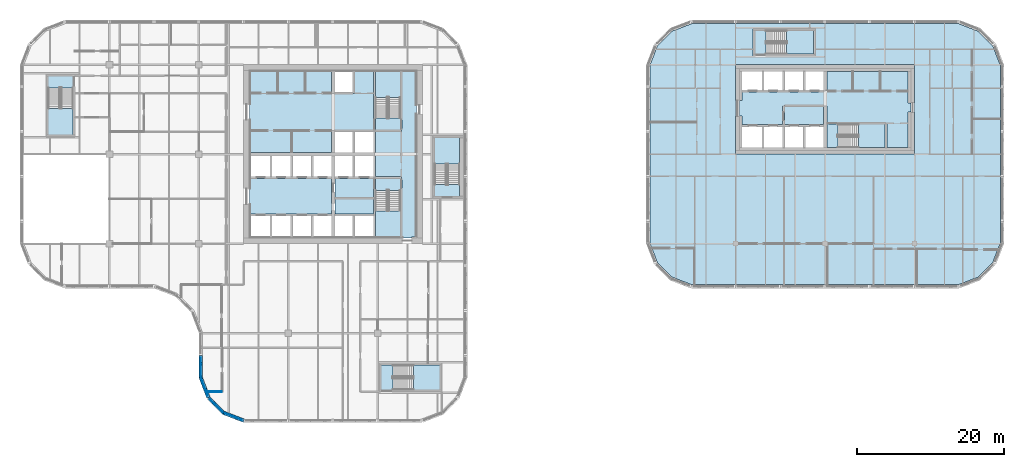
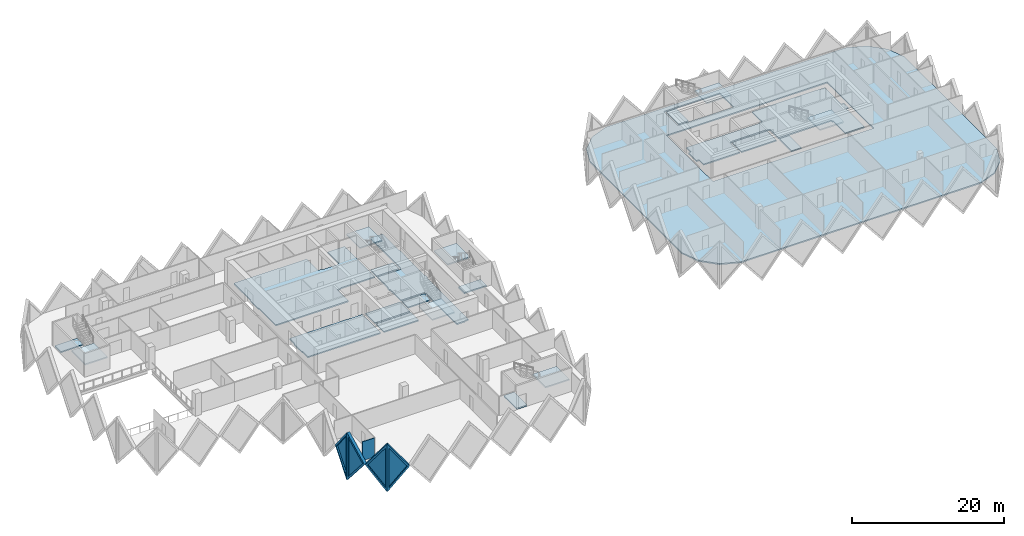
# One storey, part 3 of 19: 22 slabs, 5 walls, 4 plates, 4 openings, 7 elements without a shape of their own.
"""IFC4 building model written with IfcOpenShell, lengths in metres."""

from ifc_helpers import new_model, si_unit, direction, frame, frame_2d, origin, place, context, subcontext, project, spatial, polyline, rectangle, outline, extrude, faceted_brep, source, transform, mapped, material, layer, layer_set, type_object, element, fill, aggregate, save


model = new_model("IFC4")

# Units and contexts
model_context = context("Model", 3, precision=1e-05, world=origin(), true_north=direction((0.0, 1.0)))
body_context = subcontext(model_context, "Body", "Model", "MODEL_VIEW")
ifc_project = project(units=[si_unit("LENGTHUNIT", "METRE"), si_unit("AREAUNIT", "SQUARE_METRE"), si_unit("VOLUMEUNIT", "CUBIC_METRE"), si_unit("PLANEANGLEUNIT", "RADIAN"), si_unit("MASSUNIT", "GRAM", prefix="KILO")], contexts=[model_context])

# Site, building, storey
site_placement = place(None, origin())
site = spatial("IfcSite", under=ifc_project, at=site_placement, CompositionType="ELEMENT")
building_placement = place(site_placement, origin())
building = spatial("IfcBuilding", under=site, at=building_placement, Name="Tessera Gate Towers", CompositionType="ELEMENT")
storey_placement = place(building_placement, frame((0.0, 0.0, 87.60009765625)))
storey = spatial("IfcBuildingStorey", under=building, at=storey_placement, Name="L21", CompositionType="ELEMENT", Elevation=87.60009765625)

# Slabs
ifc_material_1 = material(Name="Concrete C35/45", Category="concrete")
ifc_layer_1 = layer(ifc_material_1, 0.199951171875)
ifc_layer_set_1 = layer_set([ifc_layer_1], Name="COMPOSITE FLOOR 200")
slab_type_1 = type_object("IfcSlabType", Name="COMPOSITE FLOOR 200", PredefinedType="FLOOR", material=ifc_layer_set_1)
slab_1_placement = place(storey_placement, frame((0.0, 0.0, -0.2001953125)))
element("IfcSlab", 1, at=slab_1_placement, inside=storey, type_object=slab_type_1, Name="T2-L21", PredefinedType="FLOOR", context=body_context, shape_type="SweptSolid", body=[
    extrude(outline(polyline([(85.89990234375, 24.4931640625), (86.926025390625, 21.8330078125), (88.93310546875, 19.826171875), (91.593017578125, 18.800048828125), (128.0068359375, 18.800048828125), (130.6669921875, 19.826171875), (132.673828125, 21.8330078125), (133.699951171875, 24.4931640625), (133.699951171875, 48.706787109375), (132.673828125, 51.366943359375), (130.6669921875, 53.373779296875), (128.0068359375, 54.39990234375), (91.593017578125, 54.39990234375), (88.93310546875, 53.373779296875), (86.926025390625, 51.366943359375), (85.89990234375, 48.706787109375), (85.89990234375, 24.4931640625)]), holes=[polyline([(97.60009765625, 36.60009765625), (97.60009765625, 48.800048828125), (122.0, 48.800048828125), (122.0, 36.60009765625), (97.60009765625, 36.60009765625)]), polyline([(100.0, 50.0), (100.0, 53.699951171875), (108.5, 53.699951171875), (108.5, 50.0), (100.0, 50.0)])]), origin(), (0.0, 0.0, 1.0), 0.2001953125),
])
ifc_material_2 = material(Name="Concrete C35/45", Category="concrete")
ifc_layer_2 = layer(ifc_material_2, 0.199951171875)
ifc_layer_set_2 = layer_set([ifc_layer_2], Name="CORE FLOOR SLAB 200")
slab_type_2 = type_object("IfcSlabType", Name="CORE FLOOR SLAB 200", PredefinedType="FLOOR", material=ifc_layer_set_2)
slab_2_placement = place(storey_placement, frame((0.0, 0.0, -0.2001953125)))
element("IfcSlab", 2, at=slab_2_placement, inside=storey, type_object=slab_type_2, Name="L21 core floor slab", PredefinedType="FLOOR", context=body_context, shape_type="SweptSolid", body=[
    extrude(outline(polyline([(31.39990234375, 47.89990234375), (31.39990234375, 43.39990234375), (31.300048828125, 43.39990234375), (31.300048828125, 41.300048828125), (31.39990234375, 41.300048828125), (31.39990234375, 36.85009765625), (42.449951171875, 36.85009765625), (42.449951171875, 39.800048828125), (42.949951171875, 39.800048828125), (42.949951171875, 39.925048828125), (48.22509765625, 39.925048828125), (48.22509765625, 47.89990234375), (45.64990234375, 47.89990234375), (45.64990234375, 44.89990234375), (45.39990234375, 44.89990234375), (45.39990234375, 44.77490234375), (42.949951171875, 44.77490234375), (42.949951171875, 44.89990234375), (42.449951171875, 44.89990234375), (42.449951171875, 47.89990234375), (31.39990234375, 47.89990234375)])), origin(), (0.0, 0.0, 1.0), 0.2001953125),
])
slab_3_placement = place(storey_placement, frame((0.0, 0.0, -0.2001953125)))
element("IfcSlab", 3, at=slab_3_placement, inside=storey, type_object=slab_type_2, Name="L21 core floor slab", PredefinedType="FLOOR", context=body_context, shape_type="SweptSolid", body=[
    extrude(outline(polyline([(52.199951171875, 25.199951171875), (53.39990234375, 25.199951171875), (53.39990234375, 25.300048828125), (54.0, 25.300048828125), (54.0, 36.320068359375), (54.10009765625, 36.320068359375), (54.10009765625, 36.8798828125), (54.0, 36.8798828125), (54.0, 42.10009765625), (54.10009765625, 42.10009765625), (54.10009765625, 43.300048828125), (54.0, 43.300048828125), (54.0, 47.89990234375), (52.125, 47.89990234375), (52.125, 39.925048828125), (52.0, 39.925048828125), (52.0, 39.675048828125), (48.47509765625, 39.675048828125), (48.47509765625, 36.85009765625), (48.35009765625, 36.85009765625), (48.35009765625, 36.35009765625), (48.47509765625, 36.35009765625), (48.47509765625, 33.52490234375), (52.0, 33.52490234375), (52.0, 33.27490234375), (52.125, 33.27490234375), (52.125, 25.300048828125), (52.199951171875, 25.300048828125), (52.199951171875, 25.199951171875)])), origin(), (0.0, 0.0, 1.0), 0.2001953125),
])
slab_4_placement = place(storey_placement, frame((0.0, 0.0, -0.2001953125)))
element("IfcSlab", 4, at=slab_4_placement, inside=storey, type_object=slab_type_2, Name="L21 core floor slab", PredefinedType="FLOOR", context=body_context, shape_type="SweptSolid", body=[
    extrude(outline(polyline([(31.39990234375, 29.800048828125), (31.39990234375, 28.425048828125), (42.449951171875, 28.425048828125), (42.449951171875, 33.27490234375), (31.39990234375, 33.27490234375), (31.39990234375, 31.89990234375), (31.300048828125, 31.89990234375), (31.300048828125, 29.800048828125), (31.39990234375, 29.800048828125)])), origin(), (0.0, 0.0, 1.0), 0.2001953125),
])
slab_5_placement = place(storey_placement, frame((0.0, 0.0, -0.2001953125)))
element("IfcSlab", 5, at=slab_5_placement, inside=storey, type_object=slab_type_2, Name="L21 core floor slab", PredefinedType="FLOOR", context=body_context, shape_type="SweptSolid", body=[
    extrude(outline(polyline([(42.949951171875, 33.27490234375), (42.949951171875, 30.72509765625), (48.22509765625, 30.72509765625), (48.22509765625, 33.27490234375), (42.949951171875, 33.27490234375)])), origin(), (0.0, 0.0, 1.0), 0.2001953125),
])
slab_6_placement = place(storey_placement, frame((0.0, 0.0, -0.2001953125)))
element("IfcSlab", 6, at=slab_6_placement, inside=storey, type_object=slab_type_2, Name="L21 core floor slab", PredefinedType="FLOOR", context=body_context, shape_type="SweptSolid", body=[
    extrude(outline(polyline([(42.949951171875, 30.47509765625), (42.949951171875, 28.425048828125), (48.22509765625, 28.425048828125), (48.22509765625, 30.47509765625), (42.949951171875, 30.47509765625)])), origin(), (0.0, 0.0, 1.0), 0.2001953125),
])
slab_7_placement = place(storey_placement, frame((0.0, 0.0, -0.2001953125)))
element("IfcSlab", 7, at=slab_7_placement, inside=storey, type_object=slab_type_2, Name="L21 core floor slab", PredefinedType="FLOOR", context=body_context, shape_type="SweptSolid", body=[
    extrude(outline(polyline([(51.875, 31.675048828125), (51.875, 33.27490234375), (48.47509765625, 33.27490234375), (48.47509765625, 31.675048828125), (51.875, 31.675048828125)])), origin(), (0.0, 0.0, 1.0), 0.2001953125),
])
slab_8_placement = place(storey_placement, frame((0.0, 0.0, -0.2001953125)))
element("IfcSlab", 8, at=slab_8_placement, inside=storey, type_object=slab_type_2, Name="L21 core floor slab", PredefinedType="FLOOR", context=body_context, shape_type="SweptSolid", body=[
    extrude(outline(polyline([(48.47509765625, 41.52490234375), (48.47509765625, 39.925048828125), (51.875, 39.925048828125), (51.875, 41.52490234375), (48.47509765625, 41.52490234375)])), origin(), (0.0, 0.0, 1.0), 0.2001953125),
])
slab_9_placement = place(storey_placement, frame((0.0, 0.0, -0.2001953125)))
element("IfcSlab", 9, at=slab_9_placement, inside=storey, type_object=slab_type_2, Name="L21 ST3 floor landing", PredefinedType="FLOOR", context=body_context, shape_type="SweptSolid", body=[
    extrude(outline(polyline([(3.85009765625, 47.25), (3.85009765625, 45.64990234375), (7.25, 45.64990234375), (7.25, 47.25), (3.85009765625, 47.25)])), origin(), (0.0, 0.0, 1.0), 0.2001953125),
])
slab_10_placement = place(storey_placement, frame((0.0, 0.0, -0.2001953125)))
element("IfcSlab", 10, at=slab_10_placement, inside=storey, type_object=slab_type_2, Name="L21 ST4 floor landing", PredefinedType="FLOOR", context=body_context, shape_type="SweptSolid", body=[
    extrude(outline(polyline([(49.25, 4.449951171875), (50.85009765625, 4.449951171875), (50.85009765625, 7.85009765625), (49.25, 7.85009765625), (49.25, 4.449951171875)])), origin(), (0.0, 0.0, 1.0), 0.2001953125),
])
slab_11_placement = place(storey_placement, frame((0.0, 0.0, -0.2001953125)))
element("IfcSlab", 11, at=slab_11_placement, inside=storey, type_object=slab_type_2, Name="L21 ST5 floor landing", PredefinedType="FLOOR", context=body_context, shape_type="SweptSolid", body=[
    extrude(outline(polyline([(59.949951171875, 30.85009765625), (59.949951171875, 32.449951171875), (56.550048828125, 32.449951171875), (56.550048828125, 30.85009765625), (59.949951171875, 30.85009765625)])), origin(), (0.0, 0.0, 1.0), 0.2001953125),
])
slab_12_placement = place(storey_placement, frame((0.0, 0.0, -0.2001953125)))
element("IfcSlab", 12, at=slab_12_placement, inside=storey, type_object=slab_type_2, Name="L21 core floor slab", PredefinedType="FLOOR", context=body_context, shape_type="SweptSolid", body=[
    extrude(outline(polyline([(109.550048828125, 45.199951171875), (109.550048828125, 45.074951171875), (98.5, 45.074951171875), (98.5, 43.89990234375), (98.10009765625, 43.89990234375), (98.10009765625, 41.800048828125), (98.5, 41.800048828125), (98.5, 40.625), (104.02490234375, 40.625), (104.02490234375, 43.199951171875), (104.27490234375, 43.199951171875), (104.27490234375, 43.324951171875), (109.550048828125, 43.324951171875), (109.550048828125, 43.199951171875), (110.050048828125, 43.199951171875), (110.050048828125, 40.949951171875), (118.10009765625, 40.949951171875), (118.10009765625, 40.699951171875), (118.22509765625, 40.699951171875), (118.22509765625, 37.5), (121.10009765625, 37.5), (121.10009765625, 42.35009765625), (121.5, 42.35009765625), (121.5, 43.550048828125), (121.10009765625, 43.550048828125), (121.10009765625, 47.89990234375), (110.050048828125, 47.89990234375), (110.050048828125, 45.199951171875), (109.550048828125, 45.199951171875)])), origin(), (0.0, 0.0, 1.0), 0.2001953125),
])
slab_13_placement = place(storey_placement, frame((0.0, 0.0, -0.2001953125)))
element("IfcSlab", 13, at=slab_13_placement, inside=storey, type_object=slab_type_2, Name="L21 core floor slab", PredefinedType="FLOOR", context=body_context, shape_type="SweptSolid", body=[
    extrude(outline(polyline([(109.550048828125, 43.074951171875), (104.27490234375, 43.074951171875), (104.27490234375, 40.625), (109.550048828125, 40.625), (109.550048828125, 43.074951171875)])), origin(), (0.0, 0.0, 1.0), 0.2001953125),
])
slab_14_placement = place(storey_placement, frame((0.0, 0.0, -0.2001953125)))
element("IfcSlab", 14, at=slab_14_placement, inside=storey, type_object=slab_type_2, Name="L21 core floor slab", PredefinedType="FLOOR", context=body_context, shape_type="SweptSolid", body=[
    extrude(outline(polyline([(111.550048828125, 37.5), (111.550048828125, 40.699951171875), (110.050048828125, 40.699951171875), (110.050048828125, 37.5), (111.550048828125, 37.5)])), origin(), (0.0, 0.0, 1.0), 0.2001953125),
])
slab_15_placement = place(storey_placement, frame((0.0, 0.0, -0.2001953125)))
element("IfcSlab", 15, at=slab_15_placement, inside=storey, type_object=slab_type_2, Name="L21 ST7 floor landing", PredefinedType="FLOOR", context=body_context, shape_type="SweptSolid", body=[
    extrude(outline(polyline([(100.25, 50.25), (101.75, 50.25), (101.75, 53.449951171875), (100.25, 53.449951171875), (100.25, 50.25)])), origin(), (0.0, 0.0, 1.0), 0.2001953125),
])

# Stair, slab
ifc_material_3 = material(Name="Concrete C40/50", Category="concrete")
stair_type_1 = type_object("IfcStairType", Name="EXIT STAIR ST1 1600", PredefinedType="HALF_TURN_STAIR", material=ifc_material_3)
stair_1_placement = place(storey_placement, origin())
stair_1 = element("IfcStair", 16, at=stair_1_placement, inside=storey, type_object=stair_type_1, Name="L21 Protected Exit Stair ST1", PredefinedType="HALF_TURN_STAIR")
ifc_material_4 = material(Name="Concrete C40/50", Category="concrete")
ifc_layer_3 = layer(ifc_material_4, 0.199951171875)
ifc_layer_set_3 = layer_set([ifc_layer_3], Name="EXIT STAIR LANDING 200")
slab_type_3 = type_object("IfcSlabType", Name="EXIT STAIR LANDING 200", PredefinedType="LANDING", material=ifc_layer_set_3)
slab_16_placement = place(storey_placement, frame((0.0, 0.0, 1.699951171875)))
slab_16 = element("IfcSlab", 17, at=slab_16_placement, type_object=slab_type_3, Name="ST1 landing 1", PredefinedType="LANDING", context=body_context, shape_type="SweptSolid", body=[
    extrude(outline(polyline([(48.47509765625, 28.875), (48.47509765625, 25.300048828125), (51.875, 25.300048828125), (51.875, 28.875), (48.47509765625, 28.875)])), origin(), (0.0, 0.0, 1.0), 0.199951171875),
])
aggregate(stair_1, [slab_16])

ifc_material_5 = material(Name="Concrete C40/50", Category="concrete")
stair_type_2 = type_object("IfcStairType", Name="EXIT STAIR ST2 1600", PredefinedType="HALF_TURN_STAIR", material=ifc_material_5)
stair_2_placement = place(storey_placement, origin())
stair_2 = element("IfcStair", 18, at=stair_2_placement, inside=storey, type_object=stair_type_2, Name="L21 Protected Exit Stair ST2", PredefinedType="HALF_TURN_STAIR")
slab_17_placement = place(storey_placement, frame((0.0, 0.0, 1.699951171875)))
slab_17 = element("IfcSlab", 19, at=slab_17_placement, type_object=slab_type_3, Name="ST2 landing 1", PredefinedType="LANDING", context=body_context, shape_type="SweptSolid", body=[
    extrude(outline(polyline([(51.875, 44.324951171875), (51.875, 47.89990234375), (48.47509765625, 47.89990234375), (48.47509765625, 44.324951171875), (51.875, 44.324951171875)])), origin(), (0.0, 0.0, 1.0), 0.199951171875),
])
aggregate(stair_2, [slab_17])

ifc_material_6 = material(Name="Concrete C40/50", Category="concrete")
stair_type_3 = type_object("IfcStairType", Name="EXIT STAIR ST3 1600", PredefinedType="HALF_TURN_STAIR", material=ifc_material_6)
stair_3_placement = place(storey_placement, origin())
stair_3 = element("IfcStair", 20, at=stair_3_placement, inside=storey, type_object=stair_type_3, Name="L21 West Exit Stair ST3", PredefinedType="HALF_TURN_STAIR")
slab_18_placement = place(storey_placement, frame((0.0, 0.0, 1.699951171875)))
slab_18 = element("IfcSlab", 21, at=slab_18_placement, type_object=slab_type_3, Name="ST3 landing 1", PredefinedType="LANDING", context=body_context, shape_type="SweptSolid", body=[
    extrude(outline(polyline([(3.85009765625, 42.85009765625), (3.85009765625, 39.25), (7.25, 39.25), (7.25, 42.85009765625), (3.85009765625, 42.85009765625)])), origin(), (0.0, 0.0, 1.0), 0.199951171875),
])
aggregate(stair_3, [slab_18])

ifc_material_7 = material(Name="Concrete C40/50", Category="concrete")
stair_type_4 = type_object("IfcStairType", Name="EXIT STAIR ST4 1600", PredefinedType="HALF_TURN_STAIR", material=ifc_material_7)
stair_4_placement = place(storey_placement, origin())
stair_4 = element("IfcStair", 22, at=stair_4_placement, inside=storey, type_object=stair_type_4, Name="L21 South Exit Stair ST4", PredefinedType="HALF_TURN_STAIR")
slab_19_placement = place(storey_placement, frame((0.0, 0.0, 1.699951171875)))
slab_19 = element("IfcSlab", 23, at=slab_19_placement, type_object=slab_type_3, Name="ST4 landing 1", PredefinedType="LANDING", context=body_context, shape_type="SweptSolid", body=[
    extrude(outline(polyline([(53.64990234375, 4.449951171875), (57.25, 4.449951171875), (57.25, 7.85009765625), (53.64990234375, 7.85009765625), (53.64990234375, 4.449951171875)])), origin(), (0.0, 0.0, 1.0), 0.199951171875),
])
aggregate(stair_4, [slab_19])

ifc_material_8 = material(Name="Concrete C40/50", Category="concrete")
stair_type_5 = type_object("IfcStairType", Name="EXIT STAIR ST5 1600", PredefinedType="HALF_TURN_STAIR", material=ifc_material_8)
stair_5_placement = place(storey_placement, origin())
stair_5 = element("IfcStair", 24, at=stair_5_placement, inside=storey, type_object=stair_type_5, Name="L21 East Exit Stair ST5", PredefinedType="HALF_TURN_STAIR")
slab_20_placement = place(storey_placement, frame((0.0, 0.0, 1.699951171875)))
slab_20 = element("IfcSlab", 25, at=slab_20_placement, type_object=slab_type_3, Name="ST5 landing 1", PredefinedType="LANDING", context=body_context, shape_type="SweptSolid", body=[
    extrude(outline(polyline([(59.949951171875, 35.25), (59.949951171875, 38.85009765625), (56.550048828125, 38.85009765625), (56.550048828125, 35.25), (59.949951171875, 35.25)])), origin(), (0.0, 0.0, 1.0), 0.199951171875),
])
aggregate(stair_5, [slab_20])

ifc_material_9 = material(Name="Concrete C40/50", Category="concrete")
stair_type_6 = type_object("IfcStairType", Name="EXIT STAIR ST6 1500", PredefinedType="HALF_TURN_STAIR", material=ifc_material_9)
stair_6_placement = place(storey_placement, origin())
stair_6 = element("IfcStair", 26, at=stair_6_placement, inside=storey, type_object=stair_type_6, Name="L21 Protected Exit Stair ST6", PredefinedType="HALF_TURN_STAIR")
slab_21_placement = place(storey_placement, frame((0.0, 0.0, 1.699951171875)))
slab_21 = element("IfcSlab", 27, at=slab_21_placement, type_object=slab_type_3, Name="ST6 landing 1", PredefinedType="LANDING", context=body_context, shape_type="SweptSolid", body=[
    extrude(outline(polyline([(114.35009765625, 37.5), (117.97509765625, 37.5), (117.97509765625, 40.699951171875), (114.35009765625, 40.699951171875), (114.35009765625, 37.5)])), origin(), (0.0, 0.0, 1.0), 0.199951171875),
])
aggregate(stair_6, [slab_21])

ifc_material_10 = material(Name="Concrete C40/50", Category="concrete")
stair_type_7 = type_object("IfcStairType", Name="EXIT STAIR ST7 1500", PredefinedType="HALF_TURN_STAIR", material=ifc_material_10)
stair_7_placement = place(storey_placement, origin())
stair_7 = element("IfcStair", 28, at=stair_7_placement, inside=storey, type_object=stair_type_7, Name="L21 North Exit Stair ST7", PredefinedType="HALF_TURN_STAIR")
slab_22_placement = place(storey_placement, frame((0.0, 0.0, 1.699951171875)))
slab_22 = element("IfcSlab", 29, at=slab_22_placement, type_object=slab_type_3, Name="ST7 landing 1", PredefinedType="LANDING", context=body_context, shape_type="SweptSolid", body=[
    extrude(outline(polyline([(104.550048828125, 50.25), (108.25, 50.25), (108.25, 53.449951171875), (104.550048828125, 53.449951171875), (104.550048828125, 50.25)])), origin(), (0.0, 0.0, 1.0), 0.199951171875),
])
aggregate(stair_7, [slab_22])

# Wall
ifc_material_11 = material(Name="Glass", Category="glass")
ifc_layer_4 = layer(ifc_material_11, 0.10009765625)
ifc_layer_set_4 = layer_set([ifc_layer_4], Name="GLAZED PARTITION 100")
wall_type_1 = type_object("IfcWallType", Name="GLAZED PARTITION 100", PredefinedType="PARTITIONING", material=ifc_layer_set_4)
wall_1_placement = place(storey_placement, frame((25.668701171875, 4.199951171875, 0.0), z_axis=(0.0, 0.0, 1.0), x_axis=(1.0, 0.0, 0.0)))
element("IfcWall", 30, at=wall_1_placement, inside=storey, type_object=wall_type_1, Name="T1-L21-PW-003", PredefinedType="PARTITIONING", context=body_context, shape_type="SweptSolid", body=[
    extrude(rectangle(XDim=1.855224609375, YDim=0.10009765625, at=frame_2d((0.927734375, 0.0))), origin(), (0.0, 0.0, 1.0), 3.06689453125),
])

# Wall, opening, plate
ifc_material_12 = material(Name="Precast concrete C60/75 white", Category="concrete")
ifc_layer_5 = layer(ifc_material_12, 0.5)
ifc_layer_set_5 = layer_set([ifc_layer_5], Name="TS3 corner tessera")
wall_type_2 = type_object("IfcWallType", Name="TS3 corner tessera", PredefinedType="SOLIDWALL", material=ifc_layer_set_5)
shared_shape_1 = source(origin(), body_context, "Body", "Brep", [
    faceted_brep([(3.00341796875, -0.25, 0.0), (3.050048828125, -0.25, 0.06005859375), (3.050048828125, -0.25, 7.539794921875), (3.00341796875, -0.25, 7.599853515625), (0.0, -0.25, 3.800048828125), (0.0, 0.25, 3.800048828125), (2.956787109375, 0.25, 7.541015625), (2.956787109375, 0.25, 0.058837890625), (3.00341796875, 0.000244140625, 0.0), (3.00341796875, 0.000244140625, 7.599853515625)], [[[0, 1, 2, 3, 4]], [[5, 6, 7]], [[1, 0, 8]], [[9, 3, 2]], [[6, 5, 4, 3, 9]], [[5, 7, 8, 0, 4]], [[1, 8, 7, 6, 9, 2]]]),
])
wall_2_placement = place(storey_placement, frame((24.64990234375, 9.14990234375, -3.800048828125), z_axis=(0.0, 0.0, 1.0), x_axis=(0.0, -1.0, 0.0)))
wall_2 = element("IfcWall", 31, at=wall_2_placement, inside=storey, type_object=wall_type_2, Name="Precast corner tessera T1 TS3-0477", PredefinedType="SOLIDWALL", context=body_context, shape_type="MappedRepresentation", body=[
    mapped(shared_shape_1, transform((0.0, 0.0, 0.0), scale=1.0)),
])
shared_shape_2 = source(origin(), body_context, "Body", "SweptSolid", [
    extrude(outline(polyline([(2.803466796875, 6.94384765625), (0.318603515625, 3.800048828125), (2.803466796875, 0.65625), (2.803466796875, 6.94384765625)])), frame((0.0, 0.260009765625, 0.0), z_axis=(0.0, -1.0, 0.0), x_axis=(1.0, 0.0, 0.0)), (0.0, 0.0, 1.0), 0.52001953125),
])
opening_1_placement = place(wall_2_placement, origin())
opening_1 = element("IfcOpeningElement", 32, at=opening_1_placement, cuts=wall_2, Name="Opening T1-PL2-0701", PredefinedType="OPENING", context=body_context, shape_type="MappedRepresentation", body=[
    mapped(shared_shape_2, transform((0.0, 0.0, 0.0), scale=1.0)),
])
ifc_material_13 = material(Name="Low-e laminated glass", Category="glass")
ifc_layer_6 = layer(ifc_material_13, 0.06005859375)
ifc_layer_set_6 = layer_set([ifc_layer_6], Name="PL2 rhombic pane")
plate_type = type_object("IfcPlateType", Name="PL2 rhombic pane", PredefinedType="SHEET", material=ifc_layer_set_6)
shared_shape_3 = source(origin(), body_context, "Body", "SweptSolid", [
    extrude(outline(polyline([(2.803466796875, 6.94384765625), (0.318603515625, 3.800048828125), (2.803466796875, 0.65625), (2.803466796875, 6.94384765625)])), frame((0.0, 0.030029296875, 0.0), z_axis=(0.0, -1.0, 0.0), x_axis=(1.0, 0.0, 0.0)), (0.0, 0.0, 1.0), 0.06005859375),
])
plate_1_placement = place(opening_1_placement, origin())
plate_1 = element("IfcPlate", 33, at=plate_1_placement, inside=storey, type_object=plate_type, Name="Glass pane T1 PL2-0701", PredefinedType="SHEET", context=body_context, shape_type="MappedRepresentation", body=[
    mapped(shared_shape_3, transform((0.0, 0.0, 0.0), scale=1.0)),
])
fill(opening_1, plate_1)

shared_shape_4 = source(origin(), body_context, "Body", "Brep", [
    faceted_brep([(0.046630859375, -0.25, 0.0), (2.9970703125, -0.25, 3.800048828125), (0.046630859375, -0.25, 7.599853515625), (0.0, -0.25, 7.541015625), (0.0, -0.25, 0.058837890625), (0.09326171875, 0.25, 7.539794921875), (2.9443359375, 0.25, 3.8681640625), (2.9443359375, 0.25, 3.73193359375), (0.09326171875, 0.25, 0.06005859375), (2.9970703125, 0.00048828125, 3.800048828125), (0.046630859375, 0.0, 0.0), (0.046630859375, 0.0, 7.599853515625)], [[[0, 1, 2, 3, 4]], [[5, 6, 7, 8]], [[8, 7, 9, 1, 0, 10]], [[6, 5, 11, 2, 1, 9]], [[3, 2, 11]], [[10, 0, 4]], [[8, 10, 4, 3, 11, 5]], [[7, 6, 9]]]),
])
wall_3_placement = place(storey_placement, frame((24.63330078125, 6.18994140625, -3.800048828125), z_axis=(0.0, 0.0, 1.0), x_axis=(0.359901446078, -0.932990326376, 0.0)))
wall_3 = element("IfcWall", 34, at=wall_3_placement, inside=storey, type_object=wall_type_2, Name="Precast corner tessera T1 TS3-0478", PredefinedType="SOLIDWALL", context=body_context, shape_type="MappedRepresentation", body=[
    mapped(shared_shape_4, transform((0.0, 0.0, 0.0), scale=1.0)),
])
shared_shape_5 = source(origin(), body_context, "Body", "SweptSolid", [
    extrude(outline(polyline([(0.24658203125, 0.665283203125), (2.6806640625, 3.800048828125), (0.24658203125, 6.934814453125), (0.24658203125, 0.665283203125)])), frame((0.0, 0.260009765625, 0.0), z_axis=(0.0, -1.0, 0.0), x_axis=(1.0, 0.0, 0.0)), (0.0, 0.0, 1.0), 0.52001953125),
])
opening_2_placement = place(wall_3_placement, origin())
opening_2 = element("IfcOpeningElement", 35, at=opening_2_placement, cuts=wall_3, Name="Opening T1-PL2-0702", PredefinedType="OPENING", context=body_context, shape_type="MappedRepresentation", body=[
    mapped(shared_shape_5, transform((0.0, 0.0, 0.0), scale=1.0)),
])
shared_shape_6 = source(origin(), body_context, "Body", "SweptSolid", [
    extrude(outline(polyline([(0.24658203125, 0.665283203125), (2.6806640625, 3.800048828125), (0.24658203125, 6.934814453125), (0.24658203125, 0.665283203125)])), frame((0.0, 0.030029296875, 0.0), z_axis=(0.0, -1.0, 0.0), x_axis=(1.0, 0.0, 0.0)), (0.0, 0.0, 1.0), 0.06005859375),
])
plate_2_placement = place(opening_2_placement, origin())
plate_2 = element("IfcPlate", 36, at=plate_2_placement, inside=storey, type_object=plate_type, Name="Glass pane T1 PL2-0702", PredefinedType="SHEET", context=body_context, shape_type="MappedRepresentation", body=[
    mapped(shared_shape_6, transform((0.0, 0.0, 0.0), scale=1.0)),
])
fill(opening_2, plate_2)

shared_shape_7 = source(origin(), body_context, "Body", "Brep", [
    faceted_brep([(0.052978515625, -0.25, 0.0), (3.00341796875, -0.25, 3.800048828125), (0.052978515625, -0.25, 7.599853515625), (0.0, -0.25, 7.531494140625), (0.0, -0.25, 0.068359375), (0.10595703125, 0.25, 7.53173828125), (2.95703125, 0.25, 3.85986328125), (2.95703125, 0.25, 3.740234375), (0.10595703125, 0.25, 0.068115234375), (3.00341796875, 0.00048828125, 3.800048828125), (0.052978515625, 0.0, 0.0), (0.052978515625, 0.0, 7.599853515625)], [[[0, 1, 2, 3, 4]], [[5, 6, 7, 8]], [[8, 7, 9, 1, 0, 10]], [[6, 5, 11, 2, 1, 9]], [[3, 2, 11]], [[10, 0, 4]], [[8, 10, 4, 3, 11, 5]], [[7, 6, 9]]]),
])
wall_4_placement = place(storey_placement, frame((27.744384765625, 1.3310546875, -3.800048828125), z_axis=(0.0, 0.0, 1.0), x_axis=(0.932970071518, -0.359953949349, 0.0)))
wall_4 = element("IfcWall", 37, at=wall_4_placement, inside=storey, type_object=wall_type_2, Name="Precast corner tessera T1 TS3-0480", PredefinedType="SOLIDWALL", context=body_context, shape_type="MappedRepresentation", body=[
    mapped(shared_shape_7, transform((0.0, 0.0, 0.0), scale=1.0)),
])
shared_shape_8 = source(origin(), body_context, "Body", "SweptSolid", [
    extrude(outline(polyline([(0.2529296875, 0.665283203125), (2.68701171875, 3.800048828125), (0.2529296875, 6.934814453125), (0.2529296875, 0.665283203125)])), frame((0.0, 0.260009765625, 0.0), z_axis=(0.0, -1.0, 0.0), x_axis=(1.0, 0.0, 0.0)), (0.0, 0.0, 1.0), 0.52001953125),
])
opening_3_placement = place(wall_4_placement, origin())
opening_3 = element("IfcOpeningElement", 38, at=opening_3_placement, cuts=wall_4, Name="Opening T1-PL2-0704", PredefinedType="OPENING", context=body_context, shape_type="MappedRepresentation", body=[
    mapped(shared_shape_8, transform((0.0, 0.0, 0.0), scale=1.0)),
])
shared_shape_9 = source(origin(), body_context, "Body", "SweptSolid", [
    extrude(outline(polyline([(0.2529296875, 0.665283203125), (2.68701171875, 3.800048828125), (0.2529296875, 6.934814453125), (0.2529296875, 0.665283203125)])), frame((0.0, 0.030029296875, 0.0), z_axis=(0.0, -1.0, 0.0), x_axis=(1.0, 0.0, 0.0)), (0.0, 0.0, 1.0), 0.06005859375),
])
plate_3_placement = place(opening_3_placement, origin())
plate_3 = element("IfcPlate", 39, at=plate_3_placement, inside=storey, type_object=plate_type, Name="Glass pane T1 PL2-0704", PredefinedType="SHEET", context=body_context, shape_type="MappedRepresentation", body=[
    mapped(shared_shape_9, transform((0.0, 0.0, 0.0), scale=1.0)),
])
fill(opening_3, plate_3)

shared_shape_10 = source(origin(), body_context, "Body", "Brep", [
    faceted_brep([(2.944091796875, -0.25, 0.0), (2.9970703125, -0.25, 0.068115234375), (2.9970703125, -0.25, 7.53173828125), (2.944091796875, -0.25, 7.599853515625), (0.0, -0.25, 3.800048828125), (0.052978515625, 0.25, 3.868408203125), (2.89111328125, 0.25, 7.53173828125), (2.89111328125, 0.25, 0.068115234375), (0.052978515625, 0.25, 3.731689453125), (2.944091796875, 0.000244140625, 0.0), (2.944091796875, 0.000244140625, 7.599853515625), (0.0, 0.0, 3.800048828125)], [[[0, 1, 2, 3, 4]], [[5, 6, 7, 8]], [[1, 0, 9]], [[10, 3, 2]], [[6, 5, 11, 4, 3, 10]], [[8, 7, 9, 0, 4, 11]], [[8, 11, 5]], [[1, 9, 7, 6, 10, 2]]]),
])
wall_5_placement = place(storey_placement, frame((25.7119140625, 3.393798828125, -3.800048828125), z_axis=(0.0, 0.0, 1.0), x_axis=(0.707066050402, -0.707147509625, 0.0)))
wall_5 = element("IfcWall", 40, at=wall_5_placement, inside=storey, type_object=wall_type_2, Name="Precast corner tessera T1 TS3-0479", PredefinedType="SOLIDWALL", context=body_context, shape_type="MappedRepresentation", body=[
    mapped(shared_shape_10, transform((0.0, 0.0, 0.0), scale=1.0)),
])
shared_shape_11 = source(origin(), body_context, "Body", "SweptSolid", [
    extrude(outline(polyline([(2.744140625, 6.93359375), (0.316162109375, 3.800048828125), (2.744140625, 0.666259765625), (2.744140625, 6.93359375)])), frame((0.0, 0.260009765625, 0.0), z_axis=(0.0, -1.0, 0.0), x_axis=(1.0, 0.0, 0.0)), (0.0, 0.0, 1.0), 0.52001953125),
])
opening_4_placement = place(wall_5_placement, origin())
opening_4 = element("IfcOpeningElement", 41, at=opening_4_placement, cuts=wall_5, Name="Opening T1-PL2-0703", PredefinedType="OPENING", context=body_context, shape_type="MappedRepresentation", body=[
    mapped(shared_shape_11, transform((0.0, 0.0, 0.0), scale=1.0)),
])
shared_shape_12 = source(origin(), body_context, "Body", "SweptSolid", [
    extrude(outline(polyline([(2.744140625, 6.93359375), (0.316162109375, 3.800048828125), (2.744140625, 0.666259765625), (2.744140625, 6.93359375)])), frame((0.0, 0.030029296875, 0.0), z_axis=(0.0, -1.0, 0.0), x_axis=(1.0, 0.0, 0.0)), (0.0, 0.0, 1.0), 0.06005859375),
])
plate_4_placement = place(opening_4_placement, origin())
plate_4 = element("IfcPlate", 42, at=plate_4_placement, inside=storey, type_object=plate_type, Name="Glass pane T1 PL2-0703", PredefinedType="SHEET", context=body_context, shape_type="MappedRepresentation", body=[
    mapped(shared_shape_12, transform((0.0, 0.0, 0.0), scale=1.0)),
])
fill(opening_4, plate_4)

save(model, "model.ifc")
